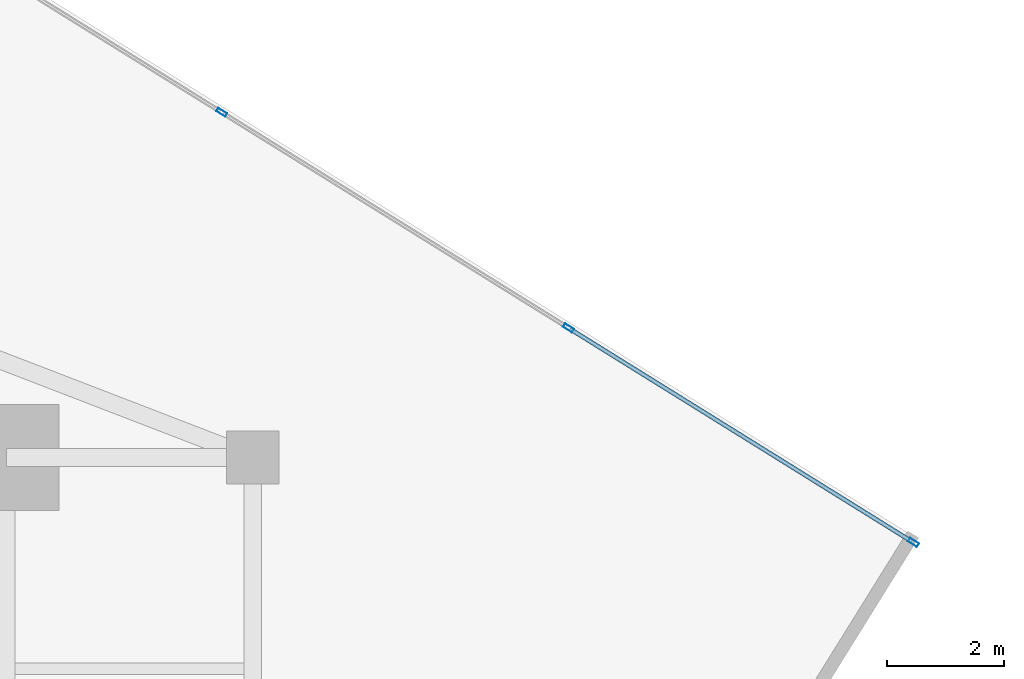
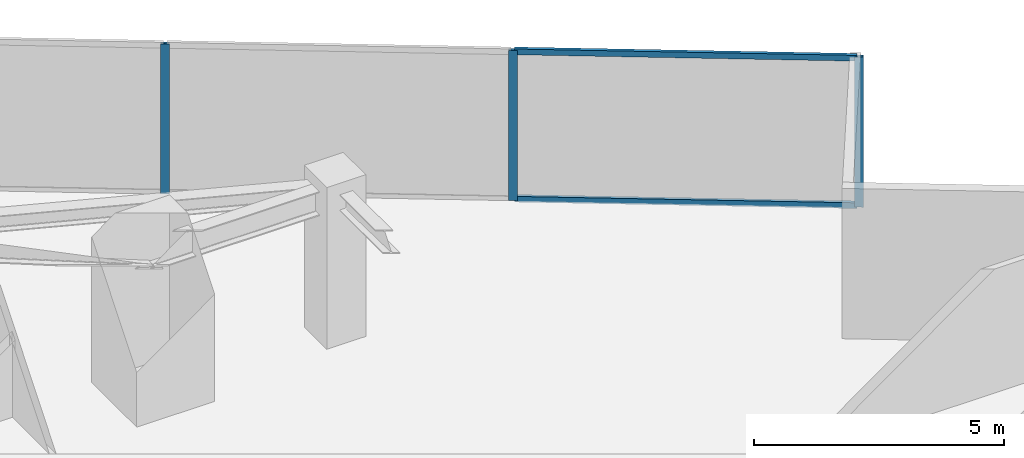
# One storey, part 18 of 25: 5 members, 1 element without a shape of its own.
"""IFC4 building model written with IfcOpenShell, lengths in metres."""

from ifc_helpers import new_model, si_unit, direction, frame, origin, origin_2d, place, context, subcontext, project, spatial, hollow_rectangle, extrude, source, transform, mapped, material, material_profile, profile_set, type_object, type_shapes, element, aggregate, save


model = new_model("IFC4")

# Units and contexts
model_context = context("Model", 3, precision=1e-05, world=origin(), true_north=direction((0.0, 1.0)))
body_context = subcontext(model_context, "Body", "Model", "MODEL_VIEW")
ifc_project = project(units=[si_unit("LENGTHUNIT", "METRE"), si_unit("AREAUNIT", "SQUARE_METRE"), si_unit("VOLUMEUNIT", "CUBIC_METRE"), si_unit("PLANEANGLEUNIT", "RADIAN"), si_unit("MASSUNIT", "GRAM", prefix="KILO")], contexts=[model_context])

# Site, building, storey
site_placement = place(None, origin())
site = spatial("IfcSite", under=ifc_project, at=site_placement, CompositionType="ELEMENT")
building_placement = place(site_placement, origin())
building = spatial("IfcBuilding", under=site, at=building_placement, Name="Krantzveldt Concourse Tower", CompositionType="ELEMENT")
storey_placement = place(building_placement, frame((0.0, 0.0, 177.800048828125)))
storey = spatial("IfcBuildingStorey", under=building, at=storey_placement, Name="L43", CompositionType="ELEMENT", Elevation=177.800048828125)

# Curtain wall, members
ifc_material = material(Name="Anodised aluminium 6063-T6", Category="aluminium")
curtain_wall_type = type_object("IfcCurtainWallType", Name="CW3", PredefinedType="USERDEFINED", material=ifc_material)
curtain_wall_placement = place(storey_placement, origin())
curtain_wall = element("IfcCurtainWall", 1, at=curtain_wall_placement, inside=storey, type_object=curtain_wall_type, Name="CW-L43-F10", ObjectType="UNITISED CURTAIN WALL", PredefinedType="USERDEFINED")
ifc_material_profile_1 = material_profile(ifc_material, hollow_rectangle(XDim=0.070068359375, YDim=0.179931640625, WallThickness=0.0048828125, at=origin_2d()), Name="Anodised aluminium 6063-T6", Category="aluminium")
ifc_profile_set_1 = profile_set([ifc_material_profile_1], Name="Anodised aluminium 6063-T6 - ALU-MULL 180x70x5")
member_type_1 = type_object("IfcMemberType", Name="CW-MUL-180", PredefinedType="MULLION", material=ifc_profile_set_1)
shared_shape_1 = source(origin(), body_context, "Body", "SweptSolid", [
    extrude(hollow_rectangle(XDim=0.070068359375, YDim=0.179931640625, WallThickness=0.0048828125, at=origin_2d()), origin(), (0.0, 0.0, 1.0), 3.669921875),
])
type_shapes(member_type_1, [shared_shape_1])
member_1_placement = place(storey_placement, frame((62.263427734375, 36.05126953125, 0.0), z_axis=(0.0, 0.0, 1.0), x_axis=(-0.528067901977, -0.84920214961, 0.0)))
member_1 = element("IfcMember", 2, at=member_1_placement, type_object=member_type_1, Name="CW-Z34 mullion 1", PredefinedType="MULLION", context=body_context, shape_type="MappedRepresentation", body=[
    mapped(shared_shape_1, transform((0.0, 0.0, 0.0), x_axis=(1.0, 0.0, 0.0), y_axis=(0.0, 1.0, 0.0), z_axis=(0.0, 0.0, 1.0), scale=1.0)),
])
member_2_placement = place(storey_placement, frame((56.3828125, 39.7080078125, 0.0), z_axis=(0.0, 0.0, 1.0), x_axis=(-0.528067901977, -0.84920214961, 0.0)))
member_2 = element("IfcMember", 3, at=member_2_placement, type_object=member_type_1, Name="CW-Z34 mullion 2", PredefinedType="MULLION", context=body_context, shape_type="MappedRepresentation", body=[
    mapped(shared_shape_1, transform((0.0, 0.0, 0.0), x_axis=(1.0, 0.0, 0.0), y_axis=(0.0, 1.0, 0.0), z_axis=(0.0, 0.0, 1.0), scale=1.0)),
])
member_3_placement = place(storey_placement, frame((50.472412109375, 43.383544921875, 0.0), z_axis=(0.0, 0.0, 1.0), x_axis=(-0.528067901977, -0.84920214961, 0.0)))
member_3 = element("IfcMember", 4, at=member_3_placement, type_object=member_type_1, Name="CW-Z34 mullion 3", PredefinedType="MULLION", context=body_context, shape_type="MappedRepresentation", body=[
    mapped(shared_shape_1, transform((0.0, 0.0, 0.0), x_axis=(1.0, 0.0, 0.0), y_axis=(0.0, 1.0, 0.0), z_axis=(0.0, 0.0, 1.0), scale=1.0)),
])
ifc_material_profile_2 = material_profile(ifc_material, hollow_rectangle(XDim=0.070068359375, YDim=0.139892578125, WallThickness=0.0048828125, at=origin_2d()), Name="Anodised aluminium 6063-T6", Category="aluminium")
ifc_profile_set_2 = profile_set([ifc_material_profile_2], Name="Anodised aluminium 6063-T6 - ALU-TRAN 140x70x5")
member_type_2 = type_object("IfcMemberType", Name="CW-TRN-150", PredefinedType="USERDEFINED", material=ifc_profile_set_2)
shared_shape_2 = source(origin(), body_context, "Body", "SweptSolid", [
    extrude(hollow_rectangle(XDim=0.070068359375, YDim=0.139892578125, WallThickness=0.0048828125, at=origin_2d()), origin(), (0.0, 0.0, 1.0), 6.855224609375),
])
type_shapes(member_type_2, [shared_shape_2])
member_4_placement = place(storey_placement, frame((62.23388671875, 36.069580078125, 0.034912109375), z_axis=(-0.849188638159, 0.528089629534, 0.0), x_axis=(-0.528089629534, -0.849188638159, 0.0)))
member_4 = element("IfcMember", 5, at=member_4_placement, type_object=member_type_2, Name="CW-Z34 transom 1.1", ObjectType="TRANSOM", PredefinedType="USERDEFINED", context=body_context, shape_type="MappedRepresentation", body=[
    mapped(shared_shape_2, transform((0.0, 0.0, 0.0), x_axis=(1.0, 0.0, 0.0), y_axis=(0.0, 1.0, 0.0), z_axis=(0.0, 0.0, 1.0), scale=1.0)),
])
member_5_placement = place(storey_placement, frame((62.23388671875, 36.069580078125, 3.635009765625), z_axis=(-0.849188638159, 0.528089629534, 0.0), x_axis=(-0.528089629534, -0.849188638159, 0.0)))
member_5 = element("IfcMember", 6, at=member_5_placement, type_object=member_type_2, Name="CW-Z34 transom 1.2", ObjectType="TRANSOM", PredefinedType="USERDEFINED", context=body_context, shape_type="MappedRepresentation", body=[
    mapped(shared_shape_2, transform((0.0, 0.0, 0.0), x_axis=(1.0, 0.0, 0.0), y_axis=(0.0, 1.0, 0.0), z_axis=(0.0, 0.0, 1.0), scale=1.0)),
])
aggregate(curtain_wall, [member_1, member_2, member_3, member_4, member_5])

save(model, "model.ifc")
